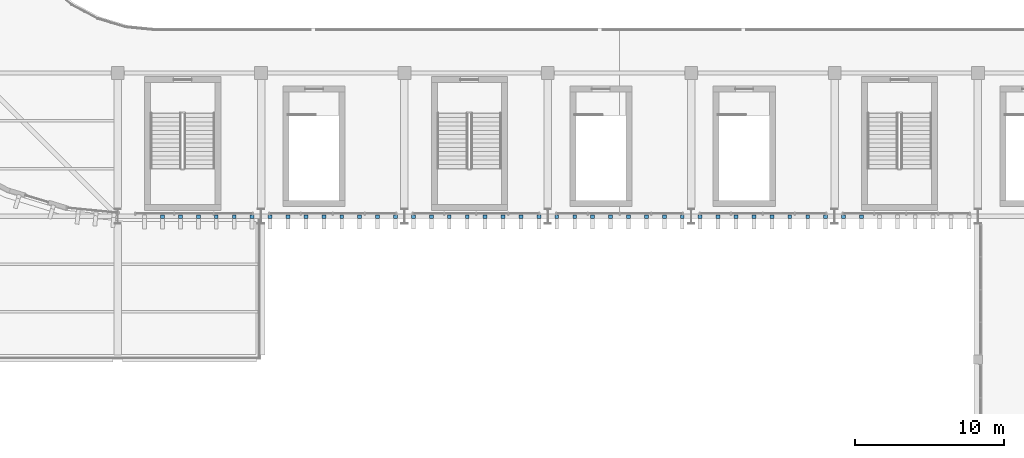
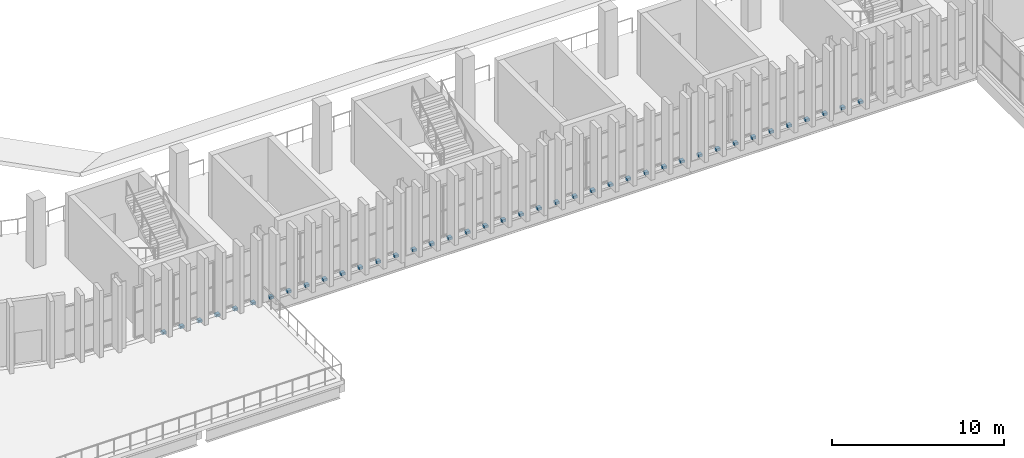
# One storey, part 73 of 99: 40 discrete accessories.
"""IFC4 building model written with IfcOpenShell, lengths in metres."""

import ifcopenshell
import ifcopenshell.guid

model = None  # the IFC model being written
_history = None  # IfcOwnerHistory: only IFC2X3 demands one
_inside = {}  # id of a spatial element -> (the spatial element, [elements in it])
_under = {}  # id of a project, library or spatial element -> (it, [spatial elements below it])
_declared = {}  # id of a project -> (the project, [libraries it declares])
_typed = {}  # id of a type object -> (the type object, [elements of that type])
_made_of = {}  # id of a material, layer set ... -> (it, [elements and type objects made of it])


def new_model(schema):
    """Start an empty IFC model of exactly this schema.

    Asked for "IFC4X3", IfcOpenShell would pick the latest addendum, in which some entities
    have other attributes; the version numbers below select the first issue.
    IFC2X3 requires an IfcOwnerHistory on every rooted entity: one is made here for all.
    """
    global model, _history
    if schema == "IFC4X3":
        model = ifcopenshell.file(schema_version=(4, 3, 0, 0))
    else:
        model = ifcopenshell.file(schema=schema)
    _inside.clear()
    _under.clear()
    _declared.clear()
    _typed.clear()
    _made_of.clear()
    _history = None
    if model.schema == "IFC2X3":
        org = make("IfcOrganization", Name="unknown")
        user = make(
            "IfcPersonAndOrganization",
            ThePerson=make("IfcPerson", FamilyName="unknown"),
            TheOrganization=org,
        )
        app = make(
            "IfcApplication",
            ApplicationDeveloper=org,
            Version="unknown",
            ApplicationFullName="unknown",
            ApplicationIdentifier="unknown",
        )
        _history = make(
            "IfcOwnerHistory",
            OwningUser=user,
            OwningApplication=app,
            ChangeAction="ADDED",
            CreationDate=0,
        )
    return model


def make(cls, **values):
    """One entity of the class cls with the attributes given. An attribute that is None is left unset."""
    return model.create_entity(
        cls, **{name: value for name, value in values.items() if value is not None}
    )


def rooted(cls, **values):
    """An entity with a GlobalId (a new one), such as an element, a storey or a relation."""
    return make(cls, GlobalId=ifcopenshell.guid.new(), OwnerHistory=_history, **values)


def si_unit(unit_type, name, prefix=None):
    """IfcSIUnit, for example si_unit("LENGTHUNIT", "METRE", prefix="MILLI")."""
    return make("IfcSIUnit", UnitType=unit_type, Prefix=prefix, Name=name)


def assignment(units):
    """IfcUnitAssignment: the units of a project."""
    return None if units is None else make("IfcUnitAssignment", Units=units)


def point(xyz):
    """IfcCartesianPoint."""
    return None if xyz is None else make("IfcCartesianPoint", Coordinates=xyz)


def direction(xyz):
    """IfcDirection."""
    return None if xyz is None else make("IfcDirection", DirectionRatios=xyz)


def frame(location, z_axis=None, x_axis=None):
    """IfcAxis2Placement3D, a coordinate frame: its origin and axes. An axis left out is left unset."""
    return make(
        "IfcAxis2Placement3D",
        Location=point(location),
        Axis=direction(z_axis),
        RefDirection=direction(x_axis),
    )


def frame_2d(location, x_axis=None):
    """IfcAxis2Placement2D, a coordinate frame in the plane: its origin and x axis."""
    return make(
        "IfcAxis2Placement2D", Location=point(location), RefDirection=direction(x_axis)
    )


def origin():
    """The frame at (0, 0, 0) with its axes left unset."""
    return frame((0.0, 0.0, 0.0))


def origin_2d():
    """The frame at (0, 0) in the plane with its x axis left unset."""
    return frame_2d((0.0, 0.0))


def place(relative_to, where):
    """IfcLocalPlacement: puts the frame where relative to a parent placement (None: the world)."""
    return make(
        "IfcLocalPlacement", PlacementRelTo=relative_to, RelativePlacement=where
    )


def context(
    kind, dimensions, precision=None, world=None, true_north=None, identifier=None
):
    """IfcGeometricRepresentationContext, for example the 3D "Model" context."""
    return make(
        "IfcGeometricRepresentationContext",
        ContextIdentifier=identifier,
        ContextType=kind,
        CoordinateSpaceDimension=dimensions,
        Precision=precision,
        WorldCoordinateSystem=world,
        TrueNorth=true_north,
    )


def subcontext(parent, identifier, kind, view, scale=None):
    """IfcGeometricRepresentationSubContext, for example "Body" below "Model"."""
    return make(
        "IfcGeometricRepresentationSubContext",
        ContextIdentifier=identifier,
        ContextType=kind,
        ParentContext=parent,
        TargetScale=scale,
        TargetView=view,
    )


def project(units=None, contexts=None):
    """IfcProject with its units and contexts."""
    return rooted(
        "IfcProject",
        Name="project",
        RepresentationContexts=contexts,
        UnitsInContext=assignment(units),
    )


def spatial(cls, under=None, at=None, **own):
    """A site, building, storey or space (cls), placed at a placement, below another one or the project."""
    s = rooted(cls, ObjectPlacement=at, **own)
    if under is not None:
        _under.setdefault(under.id(), (under, []))[1].append(s)
    return s


def profile(cls, at=None, kind="AREA", **sizes):
    """A parametric profile (cls). Its sizes go by their IFC names, for example OverallWidth=200.0."""
    return make(cls, ProfileType=kind, Position=at, **sizes)


def rectangle(**sizes):
    """IfcRectangleProfileDef."""
    return profile("IfcRectangleProfileDef", **sizes)


def extrude(swept, where, along, depth):
    """IfcExtrudedAreaSolid: the profile swept, set in the frame where, extruded along a direction by depth."""
    return make(
        "IfcExtrudedAreaSolid",
        SweptArea=swept,
        Position=where,
        ExtrudedDirection=direction(along),
        Depth=depth,
    )


def shape(context_of_items, identifier, shape_type, items):
    """IfcShapeRepresentation: the items that make up one representation, for example the "Body"."""
    return make(
        "IfcShapeRepresentation",
        ContextOfItems=context_of_items,
        RepresentationIdentifier=identifier,
        RepresentationType=shape_type,
        Items=items,
    )


def material(Name=None, Category=None):
    """IfcMaterial."""
    return make("IfcMaterial", Name=Name, Category=Category)


def made_of(thing, what):
    """Note that an element or type object is made of a material, layer set ...; save() writes the relation."""
    if what is not None:
        _made_of.setdefault(what.id(), (what, []))[1].append(thing)
    return thing


def type_object(cls, material=None, **own):
    """A type object (cls), such as IfcWallType, which elements share."""
    return made_of(rooted(cls, **own), material)


def element(
    cls,
    number,
    at=None,
    inside=None,
    cuts=None,
    type_object=None,
    material=None,
    context=None,
    identifier="Body",
    shape_type=None,
    held_by="IfcProductDefinitionShape",
    body=None,
    shapes=None,
    **own,
):
    """One element of the class cls, such as IfcWall. Its Tag is "e" and its number.

    at: its placement. inside: the storey or other place that contains it. cuts: it is an
    opening in that element (IfcRelVoidsElement). A single representation is given by context,
    identifier, shape_type and body (its items); several are given by shapes. held_by: the class
    of the entity that holds the representations. save() writes the other relations.
    """
    e = rooted(cls, Tag="e%d" % number, ObjectPlacement=at, **own)
    if body is not None:
        shapes = [shape(context, identifier, shape_type, body)]
    if shapes is not None:
        e.Representation = make(held_by, Representations=shapes)
    if inside is not None:
        _inside.setdefault(inside.id(), (inside, []))[1].append(e)
    if cuts is not None:
        rooted(
            "IfcRelVoidsElement", RelatingBuildingElement=cuts, RelatedOpeningElement=e
        )
    if type_object is not None:
        _typed.setdefault(type_object.id(), (type_object, []))[1].append(e)
    return made_of(e, material)


def aggregate(whole, parts):
    """IfcRelAggregates: a whole, such as a stair, and the parts it consists of."""
    return rooted("IfcRelAggregates", RelatingObject=whole, RelatedObjects=parts)


def save(model, path):
    """Write the relations noted so far, then the file.

    IfcRelAggregates (storeys below a building ...), IfcRelContainedInSpatialStructure (elements
    in a storey), IfcRelDefinesByType, IfcRelAssociatesMaterial and IfcRelDeclares: one each for
    every whole, place, type object, material and project.
    """
    for whole, parts in _under.values():
        aggregate(whole, parts)
    for where, things in _inside.values():
        rooted(
            "IfcRelContainedInSpatialStructure",
            RelatedElements=things,
            RelatingStructure=where,
        )
    for kind, things in _typed.values():
        rooted("IfcRelDefinesByType", RelatedObjects=things, RelatingType=kind)
    for what, things in _made_of.values():
        rooted("IfcRelAssociatesMaterial", RelatedObjects=things, RelatingMaterial=what)
    for by, libraries in _declared.values():
        rooted("IfcRelDeclares", RelatingContext=by, RelatedDefinitions=libraries)
    model.write(path)


model = new_model("IFC4")

# Units and contexts
model_context = context("Model", 3, precision=1e-05, world=origin(), true_north=direction((0.0, 1.0)))
body_context = subcontext(model_context, "Body", "Model", "MODEL_VIEW")
ifc_project = project(units=[si_unit("LENGTHUNIT", "METRE"), si_unit("AREAUNIT", "SQUARE_METRE"), si_unit("VOLUMEUNIT", "CUBIC_METRE"), si_unit("PLANEANGLEUNIT", "RADIAN"), si_unit("MASSUNIT", "GRAM", prefix="KILO")], contexts=[model_context])

# Site, building, storey
site_placement = place(None, origin())
site = spatial("IfcSite", under=ifc_project, at=site_placement, CompositionType="ELEMENT")
building_placement = place(site_placement, origin())
building = spatial("IfcBuilding", under=site, at=building_placement, Name="Caelomonte Colonnade Arena", CompositionType="ELEMENT")
storey_placement = place(building_placement, frame((0.0, 0.0, 4.800048828125)))
storey = spatial("IfcBuildingStorey", under=building, at=storey_placement, Name="L01", CompositionType="ELEMENT", Elevation=4.800048828125)

# Discrete accessories
ifc_material = material(Name="Steel ASTM A572 Grade 50", Category="steel")
discrete_accessory_type = type_object("IfcDiscreteAccessoryType", Name="ENV-ACC-BRK", PredefinedType="BRACKET", material=ifc_material)
for number, where, z_axis, x_axis, name in (
    (1, (79.800048828125, 19.169921875, -0.2099609375), (0.0, 0.0, 1.0), (1.0, 0.0, 0.0), "V1 L01 fin support bracket 240"),
    (2, (81.0, 19.169921875, -0.2099609375), (0.0, 0.0, 1.0), (1.0, 0.0, 0.0), "V1 L01 fin support bracket 241"),
    (3, (82.199951171875, 19.169921875, -0.2099609375), (0.0, 0.0, 1.0), (1.0, 0.0, 0.0), "V1 L01 fin support bracket 242"),
    (4, (83.39990234375, 19.169921875, -0.2099609375), (0.0, 0.0, 1.0), (1.0, 0.0, 0.0), "V1 L01 fin support bracket 243"),
    (5, (84.60009765625, 19.169921875, -0.2099609375), (0.0, 0.0, 1.0), (1.0, 0.0, 0.0), "V1 L01 fin support bracket 244"),
    (6, (85.800048828125, 19.169921875, -0.2099609375), (0.0, 0.0, 1.0), (1.0, 0.0, 0.0), "V1 L01 fin support bracket 245"),
    (7, (87.0, 19.169921875, -0.2099609375), (0.0, 0.0, 1.0), (1.0, 0.0, 0.0), "V1 L01 fin support bracket 246"),
    (8, (88.199951171875, 19.169921875, -0.2099609375), (0.0, 0.0, 1.0), (1.0, 0.0, 0.0), "V1 L01 fin support bracket 247"),
    (9, (89.39990234375, 19.169921875, -0.2099609375), (0.0, 0.0, 1.0), (1.0, 0.0, 0.0), "V1 L01 fin support bracket 248"),
    (10, (90.60009765625, 19.169921875, -0.2099609375), (0.0, 0.0, 1.0), (1.0, 0.0, 0.0), "V1 L01 fin support bracket 249"),
    (11, (91.800048828125, 19.169921875, -0.2099609375), (0.0, 0.0, 1.0), (1.0, 0.0, 0.0), "V1 L01 fin support bracket 250"),
    (12, (93.0, 19.169921875, -0.2099609375), (0.0, 0.0, 1.0), (1.0, 0.0, 0.0), "V1 L01 fin support bracket 251"),
    (13, (94.199951171875, 19.169921875, -0.2099609375), (0.0, 0.0, 1.0), (1.0, 0.0, 0.0), "V1 L01 fin support bracket 252"),
    (14, (95.39990234375, 19.169921875, -0.2099609375), (0.0, 0.0, 1.0), (1.0, 0.0, 0.0), "V1 L01 fin support bracket 253"),
    (15, (96.60009765625, 19.169921875, -0.2099609375), (0.0, 0.0, 1.0), (1.0, 0.0, 0.0), "V1 L01 fin support bracket 254"),
    (16, (97.800048828125, 19.169921875, -0.2099609375), (0.0, 0.0, 1.0), (1.0, 0.0, 0.0), "V1 L01 fin support bracket 255"),
    (17, (99.0, 19.169921875, -0.2099609375), (0.0, 0.0, 1.0), (1.0, 0.0, 0.0), "V1 L01 fin support bracket 256"),
    (18, (100.199951171875, 19.169921875, -0.2099609375), (0.0, 0.0, 1.0), (1.0, 0.0, 0.0), "V1 L01 fin support bracket 257"),
    (19, (101.39990234375, 19.169921875, -0.2099609375), (0.0, 0.0, 1.0), (1.0, 0.0, 0.0), "V1 L01 fin support bracket 258"),
    (20, (102.60009765625, 19.169921875, -0.2099609375), (0.0, 0.0, 1.0), (1.0, 0.0, 0.0), "V1 L01 fin support bracket 259"),
    (21, (103.800048828125, 19.169921875, -0.2099609375), (0.0, 0.0, 1.0), (1.0, 0.0, 0.0), "V1 L01 fin support bracket 260"),
    (22, (105.0, 19.169921875, -0.2099609375), (0.0, 0.0, 1.0), (1.0, 0.0, 0.0), "V1 L01 fin support bracket 261"),
    (23, (106.199951171875, 19.169921875, -0.2099609375), (0.0, 0.0, 1.0), (1.0, 0.0, 0.0), "V1 L01 fin support bracket 262"),
    (24, (107.39990234375, 19.169921875, -0.2099609375), (0.0, 0.0, 1.0), (1.0, 0.0, 0.0), "V1 L01 fin support bracket 263"),
    (25, (108.60009765625, 19.169921875, -0.2099609375), (0.0, 0.0, 1.0), (1.0, 0.0, 0.0), "V1 L01 fin support bracket 264"),
    (26, (109.800048828125, 19.169921875, -0.2099609375), (0.0, 0.0, 1.0), (1.0, 0.0, 0.0), "V1 L01 fin support bracket 265"),
    (27, (111.0, 19.169921875, -0.2099609375), (0.0, 0.0, 1.0), (1.0, 0.0, 0.0), "V1 L01 fin support bracket 266"),
    (28, (112.199951171875, 19.169921875, -0.2099609375), (0.0, 0.0, 1.0), (1.0, 0.0, 0.0), "V1 L01 fin support bracket 267"),
    (29, (113.39990234375, 19.169921875, -0.2099609375), (0.0, 0.0, 1.0), (1.0, 0.0, 0.0), "V1 L01 fin support bracket 268"),
    (30, (114.60009765625, 19.169921875, -0.2099609375), (0.0, 0.0, 1.0), (1.0, 0.0, 0.0), "V1 L01 fin support bracket 269"),
    (31, (115.800048828125, 19.169921875, -0.2099609375), (0.0, 0.0, 1.0), (1.0, 0.0, 0.0), "V1 L01 fin support bracket 270"),
    (32, (117.0, 19.169921875, -0.2099609375), (0.0, 0.0, 1.0), (1.0, 0.0, 0.0), "V1 L01 fin support bracket 271"),
    (33, (118.199951171875, 19.169921875, -0.2099609375), (0.0, 0.0, 1.0), (1.0, 0.0, 0.0), "V1 L01 fin support bracket 272"),
    (34, (119.39990234375, 19.169921875, -0.2099609375), (0.0, 0.0, 1.0), (1.0, 0.0, 0.0), "V1 L01 fin support bracket 273"),
    (35, (120.60009765625, 19.169921875, -0.2099609375), (0.0, 0.0, 1.0), (1.0, 0.0, 0.0), "V1 L01 fin support bracket 274"),
    (36, (121.800048828125, 19.169921875, -0.2099609375), (0.0, 0.0, 1.0), (1.0, 0.0, 0.0), "V1 L01 fin support bracket 275"),
    (37, (123.0, 19.169921875, -0.2099609375), (0.0, 0.0, 1.0), (1.0, 0.0, 0.0), "V1 L01 fin support bracket 276"),
    (38, (124.199951171875, 19.169921875, -0.2099609375), (0.0, 0.0, 1.0), (1.0, 0.0, 0.0), "V1 L01 fin support bracket 277"),
    (39, (125.39990234375, 19.169921875, -0.2099609375), (0.0, 0.0, 1.0), (1.0, 0.0, 0.0), "V1 L01 fin support bracket 278"),
    (40, (126.60009765625, 19.169921875, -0.2099609375), (0.0, 0.0, 1.0), (1.0, 0.0, 0.0), "V1 L01 fin support bracket 279"),
):
    element("IfcDiscreteAccessory", number, at=place(storey_placement, frame(where, z_axis=z_axis, x_axis=x_axis)), inside=storey, type_object=discrete_accessory_type, Name=name, PredefinedType="BRACKET", context=body_context, shape_type="SweptSolid", body=[
        extrude(rectangle(XDim=0.260009765625, YDim=0.260009765625, at=origin_2d()), origin(), (0.0, 0.0, 1.0), 0.179931640625),
    ])

save(model, "model.ifc")
